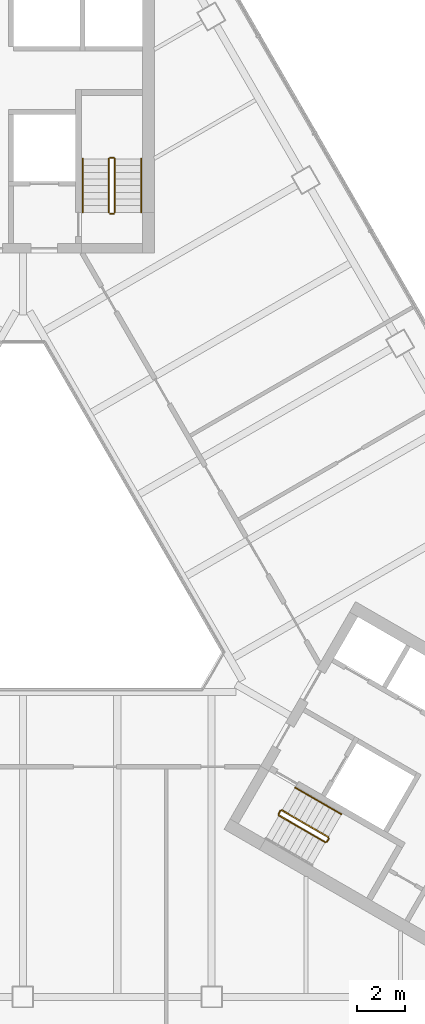
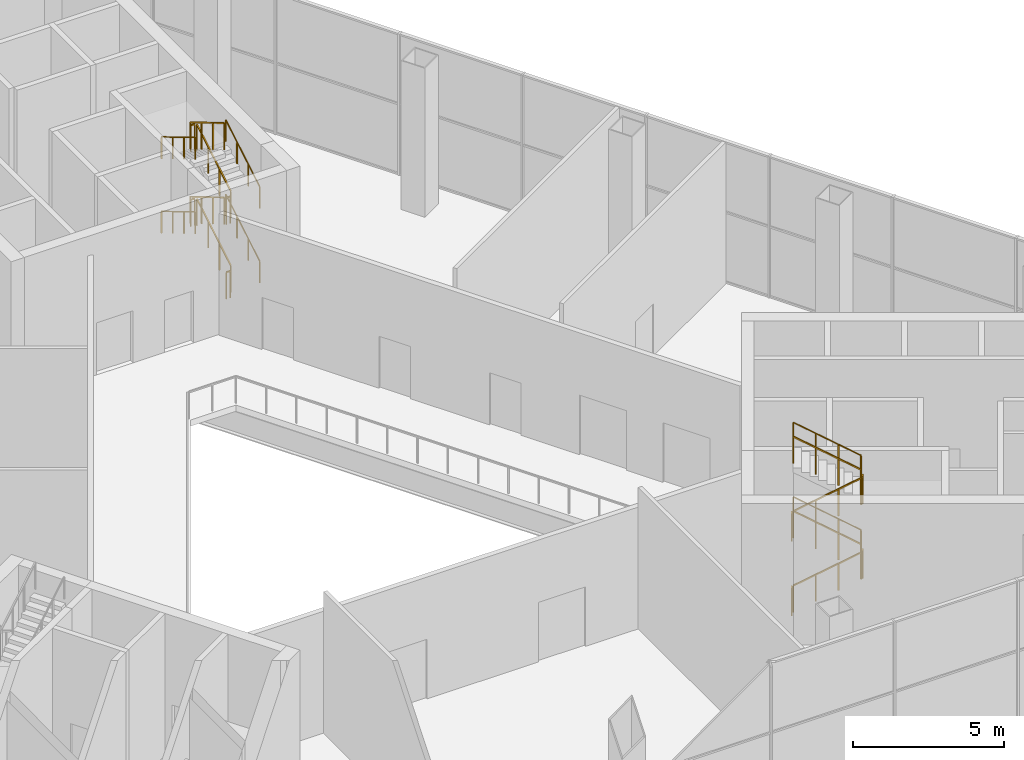
# One storey, part 13 of 14: 22 railings.
"""IFC4 building model written with IfcOpenShell, lengths in metres."""

from ifc_helpers import new_model, si_unit, direction, frame, origin, origin_2d, place, context, subcontext, project, spatial, rectangle, circle, extrude, material, type_object, element, save


model = new_model("IFC4")

# Units and contexts
model_context = context("Model", 3, precision=1e-05, world=origin(), true_north=direction((0.0, 1.0)))
body_context = subcontext(model_context, "Body", "Model", "MODEL_VIEW")
ifc_project = project(units=[si_unit("LENGTHUNIT", "METRE"), si_unit("AREAUNIT", "SQUARE_METRE"), si_unit("VOLUMEUNIT", "CUBIC_METRE"), si_unit("PLANEANGLEUNIT", "RADIAN"), si_unit("MASSUNIT", "GRAM", prefix="KILO")], contexts=[model_context])

# Site, building, storey
site_placement = place(None, origin())
site = spatial("IfcSite", under=ifc_project, at=site_placement, CompositionType="ELEMENT")
building_placement = place(site_placement, origin())
building = spatial("IfcBuilding", under=site, at=building_placement, Name="Apuvela Tower Hotel", CompositionType="ELEMENT")
storey_placement = place(building_placement, frame((0.0, 0.0, 131.60009765625)))
storey = spatial("IfcBuildingStorey", under=building, at=storey_placement, Name="L31", CompositionType="ELEMENT", Elevation=131.60009765625)

# Railings
ifc_material_1 = material(Name="Steel S275 balustrade", Category="steel")
railing_type_1 = type_object("IfcRailingType", Name="COR-GUARD-1100", PredefinedType="GUARDRAIL", material=ifc_material_1)
railing_1_placement = place(storey_placement, frame((3.85009765625, 14.60009765625, 0.16650390625)))
element("IfcRailing", 1, at=railing_1_placement, inside=storey, type_object=railing_type_1, Name="L31 ST1 stair guard 1", PredefinedType="GUARDRAIL", context=body_context, shape_type="SweptSolid", body=[
    extrude(rectangle(XDim=0.048095703125, YDim=0.048095703125, at=origin_2d()), frame((0.0, 0.0, 1.076171875), z_axis=(0.0, 0.859264461869, 0.511531606619), x_axis=(-1.0, 0.0, 0.0)), (0.0, 0.0, 1.0), 2.60693359375),
    extrude(rectangle(XDim=0.0419921875, YDim=0.0419921875, at=origin_2d()), origin(), (0.0, 0.0, 1.0), 1.052001953125),
    extrude(rectangle(XDim=0.0419921875, YDim=0.0419921875, at=origin_2d()), frame((0.0, 0.74658203125, 0.444580078125)), (0.0, 0.0, 1.0), 1.052001953125),
    extrude(rectangle(XDim=0.0419921875, YDim=0.0419921875, at=origin_2d()), frame((0.0, 1.493408203125, 0.888916015625)), (0.0, 0.0, 1.0), 1.052001953125),
    extrude(rectangle(XDim=0.0419921875, YDim=0.0419921875, at=origin_2d()), frame((0.0, 2.239990234375, 1.33349609375)), (0.0, 0.0, 1.0), 1.052001953125),
])
railing_2_placement = place(storey_placement, frame((3.800048828125, 16.889892578125, 1.5)))
element("IfcRailing", 2, at=railing_2_placement, inside=storey, type_object=railing_type_1, Name="L31 ST1 stair guard 2", PredefinedType="GUARDRAIL", context=body_context, shape_type="SweptSolid", body=[
    extrude(rectangle(XDim=0.048095703125, YDim=0.048095703125, at=origin_2d()), frame((0.0, 0.0, 1.076171875), z_axis=(-1.0, 0.0, 0.0), x_axis=(0.0, -1.0, 0.0)), (0.0, 0.0, 1.0), 0.150146484375),
    extrude(rectangle(XDim=0.0419921875, YDim=0.0419921875, at=origin_2d()), origin(), (0.0, 0.0, 1.0), 1.052001953125),
    extrude(rectangle(XDim=0.0419921875, YDim=0.0419921875, at=origin_2d()), frame((-0.150146484375, 0.0, 0.0)), (0.0, 0.0, 1.0), 1.052001953125),
])
railing_3_placement = place(storey_placement, frame((3.60009765625, 16.840087890625, 1.66650390625)))
element("IfcRailing", 3, at=railing_3_placement, inside=storey, type_object=railing_type_1, Name="L31 ST1 stair guard 3", PredefinedType="GUARDRAIL", context=body_context, shape_type="SweptSolid", body=[
    extrude(rectangle(XDim=0.048095703125, YDim=0.048095703125, at=origin_2d()), frame((0.0, 0.0, 1.076171875), z_axis=(0.0, -0.859264461869, 0.511531606619), x_axis=(1.0, 0.0, 0.0)), (0.0, 0.0, 1.0), 2.60693359375),
    extrude(rectangle(XDim=0.0419921875, YDim=0.0419921875, at=origin_2d()), origin(), (0.0, 0.0, 1.0), 1.052001953125),
    extrude(rectangle(XDim=0.0419921875, YDim=0.0419921875, at=origin_2d()), frame((0.0, -0.74658203125, 0.444580078125)), (0.0, 0.0, 1.0), 1.052001953125),
    extrude(rectangle(XDim=0.0419921875, YDim=0.0419921875, at=origin_2d()), frame((0.0, -1.493408203125, 0.888916015625)), (0.0, 0.0, 1.0), 1.052001953125),
    extrude(rectangle(XDim=0.0419921875, YDim=0.0419921875, at=origin_2d()), frame((0.0, -2.239990234375, 1.33349609375)), (0.0, 0.0, 1.0), 1.052001953125),
])
railing_4_placement = place(storey_placement, frame((3.800048828125, 14.550048828125, 3.0)))
element("IfcRailing", 4, at=railing_4_placement, inside=storey, type_object=railing_type_1, Name="L31 ST1 stair guard 4", PredefinedType="GUARDRAIL", context=body_context, shape_type="SweptSolid", body=[
    extrude(rectangle(XDim=0.048095703125, YDim=0.048095703125, at=origin_2d()), frame((0.0, 0.0, 1.076171875), z_axis=(-1.0, 0.0, 0.0), x_axis=(0.0, -1.0, 0.0)), (0.0, 0.0, 1.0), 0.150146484375),
    extrude(rectangle(XDim=0.0419921875, YDim=0.0419921875, at=origin_2d()), origin(), (0.0, 0.0, 1.0), 1.052001953125),
    extrude(rectangle(XDim=0.0419921875, YDim=0.0419921875, at=origin_2d()), frame((-0.150146484375, 0.0, 0.0)), (0.0, 0.0, 1.0), 1.052001953125),
])
railing_5_placement = place(storey_placement, frame((3.85009765625, 14.60009765625, 3.16650390625)))
element("IfcRailing", 5, at=railing_5_placement, inside=storey, type_object=railing_type_1, Name="L31 ST1 stair guard 5", PredefinedType="GUARDRAIL", context=body_context, shape_type="SweptSolid", body=[
    extrude(rectangle(XDim=0.048095703125, YDim=0.048095703125, at=origin_2d()), frame((0.0, 0.0, 1.076171875), z_axis=(0.0, 0.859264461869, 0.511531606619), x_axis=(-1.0, 0.0, 0.0)), (0.0, 0.0, 1.0), 2.60693359375),
    extrude(rectangle(XDim=0.0419921875, YDim=0.0419921875, at=origin_2d()), origin(), (0.0, 0.0, 1.0), 1.052001953125),
    extrude(rectangle(XDim=0.0419921875, YDim=0.0419921875, at=origin_2d()), frame((0.0, 0.74658203125, 0.444580078125)), (0.0, 0.0, 1.0), 1.052001953125),
    extrude(rectangle(XDim=0.0419921875, YDim=0.0419921875, at=origin_2d()), frame((0.0, 1.493408203125, 0.888916015625)), (0.0, 0.0, 1.0), 1.052001953125),
    extrude(rectangle(XDim=0.0419921875, YDim=0.0419921875, at=origin_2d()), frame((0.0, 2.239990234375, 1.33349609375)), (0.0, 0.0, 1.0), 1.052001953125),
])
railing_6_placement = place(storey_placement, frame((3.800048828125, 16.889892578125, 4.5)))
element("IfcRailing", 6, at=railing_6_placement, inside=storey, type_object=railing_type_1, Name="L31 ST1 stair guard 6", PredefinedType="GUARDRAIL", context=body_context, shape_type="SweptSolid", body=[
    extrude(rectangle(XDim=0.048095703125, YDim=0.048095703125, at=origin_2d()), frame((0.0, 0.0, 1.076171875), z_axis=(-1.0, 0.0, 0.0), x_axis=(0.0, -1.0, 0.0)), (0.0, 0.0, 1.0), 0.150146484375),
    extrude(rectangle(XDim=0.0419921875, YDim=0.0419921875, at=origin_2d()), origin(), (0.0, 0.0, 1.0), 1.052001953125),
    extrude(rectangle(XDim=0.0419921875, YDim=0.0419921875, at=origin_2d()), frame((-0.150146484375, 0.0, 0.0)), (0.0, 0.0, 1.0), 1.052001953125),
])
railing_7_placement = place(storey_placement, frame((3.60009765625, 16.840087890625, 4.66650390625)))
element("IfcRailing", 7, at=railing_7_placement, inside=storey, type_object=railing_type_1, Name="L31 ST1 stair guard 7", PredefinedType="GUARDRAIL", context=body_context, shape_type="SweptSolid", body=[
    extrude(rectangle(XDim=0.048095703125, YDim=0.048095703125, at=origin_2d()), frame((0.0, 0.0, 1.076171875), z_axis=(0.0, -0.859264461869, 0.511531606619), x_axis=(1.0, 0.0, 0.0)), (0.0, 0.0, 1.0), 2.60693359375),
    extrude(rectangle(XDim=0.0419921875, YDim=0.0419921875, at=origin_2d()), origin(), (0.0, 0.0, 1.0), 1.052001953125),
    extrude(rectangle(XDim=0.0419921875, YDim=0.0419921875, at=origin_2d()), frame((0.0, -0.74658203125, 0.444580078125)), (0.0, 0.0, 1.0), 1.052001953125),
    extrude(rectangle(XDim=0.0419921875, YDim=0.0419921875, at=origin_2d()), frame((0.0, -1.493408203125, 0.888916015625)), (0.0, 0.0, 1.0), 1.052001953125),
    extrude(rectangle(XDim=0.0419921875, YDim=0.0419921875, at=origin_2d()), frame((0.0, -2.239990234375, 1.33349609375)), (0.0, 0.0, 1.0), 1.052001953125),
])
railing_8_placement = place(storey_placement, frame((3.800048828125, 14.550048828125, 0.0)))
element("IfcRailing", 8, at=railing_8_placement, inside=storey, type_object=railing_type_1, Name="L31 ST1 stair guard 8", PredefinedType="GUARDRAIL", context=body_context, shape_type="SweptSolid", body=[
    extrude(rectangle(XDim=0.048095703125, YDim=0.048095703125, at=origin_2d()), frame((0.0, 0.0, 1.076171875), z_axis=(-1.0, 0.0, 0.0), x_axis=(0.0, -1.0, 0.0)), (0.0, 0.0, 1.0), 0.150146484375),
    extrude(rectangle(XDim=0.0419921875, YDim=0.0419921875, at=origin_2d()), origin(), (0.0, 0.0, 1.0), 1.052001953125),
    extrude(rectangle(XDim=0.0419921875, YDim=0.0419921875, at=origin_2d()), frame((-0.150146484375, 0.0, 0.0)), (0.0, 0.0, 1.0), 1.052001953125),
])
railing_9_placement = place(storey_placement, frame((10.718994140625, -10.63427734375, 0.16650390625)))
element("IfcRailing", 9, at=railing_9_placement, inside=storey, type_object=railing_type_1, Name="L31 ST3 stair guard 1", PredefinedType="GUARDRAIL", context=body_context, shape_type="SweptSolid", body=[
    extrude(rectangle(XDim=0.048095703125, YDim=0.048095703125, at=origin_2d()), frame((0.0, 0.0, 1.076171875), z_axis=(0.744168888134, -0.429587552211, 0.51153416398), x_axis=(0.49994888933, 0.866054910533, 0.0)), (0.0, 0.0, 1.0), 2.60693359375),
    extrude(rectangle(XDim=0.0419921875, YDim=0.0419921875, at=origin_2d()), origin(), (0.0, 0.0, 1.0), 1.052001953125),
    extrude(rectangle(XDim=0.0419921875, YDim=0.0419921875, at=origin_2d()), frame((0.646728515625, -0.373291015625, 0.444580078125)), (0.0, 0.0, 1.0), 1.052001953125),
    extrude(rectangle(XDim=0.0419921875, YDim=0.0419921875, at=origin_2d()), frame((1.293212890625, -0.74658203125, 0.888916015625)), (0.0, 0.0, 1.0), 1.052001953125),
    extrude(rectangle(XDim=0.0419921875, YDim=0.0419921875, at=origin_2d()), frame((1.93994140625, -1.119873046875, 1.33349609375)), (0.0, 0.0, 1.0), 1.052001953125),
])
railing_10_placement = place(storey_placement, frame((12.72705078125, -11.73583984375, 1.5)))
element("IfcRailing", 10, at=railing_10_placement, inside=storey, type_object=railing_type_1, Name="L31 ST3 stair guard 2", PredefinedType="GUARDRAIL", context=body_context, shape_type="SweptSolid", body=[
    extrude(rectangle(XDim=0.048095703125, YDim=0.048095703125, at=origin_2d()), frame((0.0, 0.0, 1.076171875), z_axis=(0.501036270542, 0.865426285481, 0.0), x_axis=(-0.865426285481, 0.501036270542, 0.0)), (0.0, 0.0, 1.0), 0.150146484375),
    extrude(rectangle(XDim=0.0419921875, YDim=0.0419921875, at=origin_2d()), origin(), (0.0, 0.0, 1.0), 1.052001953125),
    extrude(rectangle(XDim=0.0419921875, YDim=0.0419921875, at=origin_2d()), frame((0.0751953125, 0.1298828125, 0.0)), (0.0, 0.0, 1.0), 1.052001953125),
])
railing_11_placement = place(storey_placement, frame((12.783935546875, -11.53759765625, 1.66650390625)))
element("IfcRailing", 11, at=railing_11_placement, inside=storey, type_object=railing_type_1, Name="L31 ST3 stair guard 3", PredefinedType="GUARDRAIL", context=body_context, shape_type="SweptSolid", body=[
    extrude(rectangle(XDim=0.048095703125, YDim=0.048095703125, at=origin_2d()), frame((0.0, 0.0, 1.076171875), z_axis=(-0.744168888134, 0.429587552211, 0.51153416398), x_axis=(-0.49994888933, -0.866054910533, 0.0)), (0.0, 0.0, 1.0), 2.60693359375),
    extrude(rectangle(XDim=0.0419921875, YDim=0.0419921875, at=origin_2d()), origin(), (0.0, 0.0, 1.0), 1.052001953125),
    extrude(rectangle(XDim=0.0419921875, YDim=0.0419921875, at=origin_2d()), frame((-0.646728515625, 0.373291015625, 0.444580078125)), (0.0, 0.0, 1.0), 1.052001953125),
    extrude(rectangle(XDim=0.0419921875, YDim=0.0419921875, at=origin_2d()), frame((-1.293212890625, 0.74658203125, 0.888916015625)), (0.0, 0.0, 1.0), 1.052001953125),
    extrude(rectangle(XDim=0.0419921875, YDim=0.0419921875, at=origin_2d()), frame((-1.93994140625, 1.119873046875, 1.33349609375)), (0.0, 0.0, 1.0), 1.052001953125),
])
railing_12_placement = place(storey_placement, frame((10.70068359375, -10.56591796875, 3.0)))
element("IfcRailing", 12, at=railing_12_placement, inside=storey, type_object=railing_type_1, Name="L31 ST3 stair guard 4", PredefinedType="GUARDRAIL", context=body_context, shape_type="SweptSolid", body=[
    extrude(rectangle(XDim=0.048095703125, YDim=0.048095703125, at=origin_2d()), frame((0.0, 0.0, 1.076171875), z_axis=(0.499816412211, 0.866131372301, 0.0), x_axis=(-0.866131372301, 0.499816412211, 0.0)), (0.0, 0.0, 1.0), 0.14990234375),
    extrude(rectangle(XDim=0.0419921875, YDim=0.0419921875, at=origin_2d()), origin(), (0.0, 0.0, 1.0), 1.052001953125),
    extrude(rectangle(XDim=0.0419921875, YDim=0.0419921875, at=origin_2d()), frame((0.074951171875, 0.1298828125, 0.0)), (0.0, 0.0, 1.0), 1.052001953125),
])
railing_13_placement = place(storey_placement, frame((10.718994140625, -10.63427734375, 3.16650390625)))
element("IfcRailing", 13, at=railing_13_placement, inside=storey, type_object=railing_type_1, Name="L31 ST3 stair guard 5", PredefinedType="GUARDRAIL", context=body_context, shape_type="SweptSolid", body=[
    extrude(rectangle(XDim=0.048095703125, YDim=0.048095703125, at=origin_2d()), frame((0.0, 0.0, 1.076171875), z_axis=(0.744168888134, -0.429587552211, 0.51153416398), x_axis=(0.49994888933, 0.866054910533, 0.0)), (0.0, 0.0, 1.0), 2.60693359375),
    extrude(rectangle(XDim=0.0419921875, YDim=0.0419921875, at=origin_2d()), origin(), (0.0, 0.0, 1.0), 1.052001953125),
    extrude(rectangle(XDim=0.0419921875, YDim=0.0419921875, at=origin_2d()), frame((0.646728515625, -0.373291015625, 0.444580078125)), (0.0, 0.0, 1.0), 1.052001953125),
    extrude(rectangle(XDim=0.0419921875, YDim=0.0419921875, at=origin_2d()), frame((1.293212890625, -0.74658203125, 0.888916015625)), (0.0, 0.0, 1.0), 1.052001953125),
    extrude(rectangle(XDim=0.0419921875, YDim=0.0419921875, at=origin_2d()), frame((1.93994140625, -1.119873046875, 1.33349609375)), (0.0, 0.0, 1.0), 1.052001953125),
])
railing_14_placement = place(storey_placement, frame((12.72705078125, -11.73583984375, 4.5)))
element("IfcRailing", 14, at=railing_14_placement, inside=storey, type_object=railing_type_1, Name="L31 ST3 stair guard 6", PredefinedType="GUARDRAIL", context=body_context, shape_type="SweptSolid", body=[
    extrude(rectangle(XDim=0.048095703125, YDim=0.048095703125, at=origin_2d()), frame((0.0, 0.0, 1.076171875), z_axis=(0.501036270542, 0.865426285481, 0.0), x_axis=(-0.865426285481, 0.501036270542, 0.0)), (0.0, 0.0, 1.0), 0.150146484375),
    extrude(rectangle(XDim=0.0419921875, YDim=0.0419921875, at=origin_2d()), origin(), (0.0, 0.0, 1.0), 1.052001953125),
    extrude(rectangle(XDim=0.0419921875, YDim=0.0419921875, at=origin_2d()), frame((0.0751953125, 0.1298828125, 0.0)), (0.0, 0.0, 1.0), 1.052001953125),
])
railing_15_placement = place(storey_placement, frame((12.783935546875, -11.53759765625, 4.66650390625)))
element("IfcRailing", 15, at=railing_15_placement, inside=storey, type_object=railing_type_1, Name="L31 ST3 stair guard 7", PredefinedType="GUARDRAIL", context=body_context, shape_type="SweptSolid", body=[
    extrude(rectangle(XDim=0.048095703125, YDim=0.048095703125, at=origin_2d()), frame((0.0, 0.0, 1.076171875), z_axis=(-0.744168888134, 0.429587552211, 0.51153416398), x_axis=(-0.49994888933, -0.866054910533, 0.0)), (0.0, 0.0, 1.0), 2.60693359375),
    extrude(rectangle(XDim=0.0419921875, YDim=0.0419921875, at=origin_2d()), origin(), (0.0, 0.0, 1.0), 1.052001953125),
    extrude(rectangle(XDim=0.0419921875, YDim=0.0419921875, at=origin_2d()), frame((-0.646728515625, 0.373291015625, 0.444580078125)), (0.0, 0.0, 1.0), 1.052001953125),
    extrude(rectangle(XDim=0.0419921875, YDim=0.0419921875, at=origin_2d()), frame((-1.293212890625, 0.74658203125, 0.888916015625)), (0.0, 0.0, 1.0), 1.052001953125),
    extrude(rectangle(XDim=0.0419921875, YDim=0.0419921875, at=origin_2d()), frame((-1.93994140625, 1.119873046875, 1.33349609375)), (0.0, 0.0, 1.0), 1.052001953125),
])
railing_16_placement = place(storey_placement, frame((10.70068359375, -10.56591796875, 0.0)))
element("IfcRailing", 16, at=railing_16_placement, inside=storey, type_object=railing_type_1, Name="L31 ST3 stair guard 8", PredefinedType="GUARDRAIL", context=body_context, shape_type="SweptSolid", body=[
    extrude(rectangle(XDim=0.048095703125, YDim=0.048095703125, at=origin_2d()), frame((0.0, 0.0, 1.076171875), z_axis=(0.499816412211, 0.866131372301, 0.0), x_axis=(-0.866131372301, 0.499816412211, 0.0)), (0.0, 0.0, 1.0), 0.14990234375),
    extrude(rectangle(XDim=0.0419921875, YDim=0.0419921875, at=origin_2d()), origin(), (0.0, 0.0, 1.0), 1.052001953125),
    extrude(rectangle(XDim=0.0419921875, YDim=0.0419921875, at=origin_2d()), frame((0.074951171875, 0.1298828125, 0.0)), (0.0, 0.0, 1.0), 1.052001953125),
])
ifc_material_2 = material(Name="Stainless steel 316 handrail", Category="steel")
railing_type_2 = type_object("IfcRailingType", Name="COR-HANDRAIL-900", PredefinedType="HANDRAIL", material=ifc_material_2)
railing_17_placement = place(storey_placement, frame((4.949951171875, 14.60009765625, 0.16650390625)))
element("IfcRailing", 17, at=railing_17_placement, inside=storey, type_object=railing_type_2, Name="L31 ST1 stair handrail 1", PredefinedType="HANDRAIL", context=body_context, shape_type="SweptSolid", body=[
    extrude(circle(Radius=0.02392578125, at=origin_2d()), frame((0.0, 0.0, 0.8759765625), z_axis=(0.0, 0.859264461869, 0.511531606619), x_axis=(-1.0, 0.0, 0.0)), (0.0, 0.0, 1.0), 2.60693359375),
    extrude(rectangle(XDim=0.0419921875, YDim=0.0419921875, at=origin_2d()), origin(), (0.0, 0.0, 1.0), 0.851806640625),
    extrude(rectangle(XDim=0.0419921875, YDim=0.0419921875, at=origin_2d()), frame((0.0, 0.74658203125, 0.444580078125)), (0.0, 0.0, 1.0), 0.851806640625),
    extrude(rectangle(XDim=0.0419921875, YDim=0.0419921875, at=origin_2d()), frame((0.0, 1.493408203125, 0.888916015625)), (0.0, 0.0, 1.0), 0.851806640625),
    extrude(rectangle(XDim=0.0419921875, YDim=0.0419921875, at=origin_2d()), frame((0.0, 2.239990234375, 1.33349609375)), (0.0, 0.0, 1.0), 0.851806640625),
])
railing_18_placement = place(storey_placement, frame((2.5, 16.840087890625, 1.66650390625)))
element("IfcRailing", 18, at=railing_18_placement, inside=storey, type_object=railing_type_2, Name="L31 ST1 stair handrail 2", PredefinedType="HANDRAIL", context=body_context, shape_type="SweptSolid", body=[
    extrude(circle(Radius=0.02392578125, at=origin_2d()), frame((0.0, 0.0, 0.8759765625), z_axis=(0.0, -0.859264461869, 0.511531606619), x_axis=(1.0, 0.0, 0.0)), (0.0, 0.0, 1.0), 2.60693359375),
    extrude(rectangle(XDim=0.0419921875, YDim=0.0419921875, at=origin_2d()), origin(), (0.0, 0.0, 1.0), 0.851806640625),
    extrude(rectangle(XDim=0.0419921875, YDim=0.0419921875, at=origin_2d()), frame((0.0, -0.74658203125, 0.444580078125)), (0.0, 0.0, 1.0), 0.851806640625),
    extrude(rectangle(XDim=0.0419921875, YDim=0.0419921875, at=origin_2d()), frame((0.0, -1.493408203125, 0.888916015625)), (0.0, 0.0, 1.0), 0.851806640625),
    extrude(rectangle(XDim=0.0419921875, YDim=0.0419921875, at=origin_2d()), frame((0.0, -2.239990234375, 1.33349609375)), (0.0, 0.0, 1.0), 0.851806640625),
])
railing_19_placement = place(storey_placement, frame((4.949951171875, 14.60009765625, 3.16650390625)))
element("IfcRailing", 19, at=railing_19_placement, inside=storey, type_object=railing_type_2, Name="L31 ST1 stair handrail 3", PredefinedType="HANDRAIL", context=body_context, shape_type="SweptSolid", body=[
    extrude(circle(Radius=0.02392578125, at=origin_2d()), frame((0.0, 0.0, 0.8759765625), z_axis=(0.0, 0.859264461869, 0.511531606619), x_axis=(-1.0, 0.0, 0.0)), (0.0, 0.0, 1.0), 2.60693359375),
    extrude(rectangle(XDim=0.0419921875, YDim=0.0419921875, at=origin_2d()), origin(), (0.0, 0.0, 1.0), 0.851806640625),
    extrude(rectangle(XDim=0.0419921875, YDim=0.0419921875, at=origin_2d()), frame((0.0, 0.74658203125, 0.444580078125)), (0.0, 0.0, 1.0), 0.851806640625),
    extrude(rectangle(XDim=0.0419921875, YDim=0.0419921875, at=origin_2d()), frame((0.0, 1.493408203125, 0.888916015625)), (0.0, 0.0, 1.0), 0.851806640625),
    extrude(rectangle(XDim=0.0419921875, YDim=0.0419921875, at=origin_2d()), frame((0.0, 2.239990234375, 1.33349609375)), (0.0, 0.0, 1.0), 0.851806640625),
])
railing_20_placement = place(storey_placement, frame((2.5, 16.840087890625, 4.66650390625)))
element("IfcRailing", 20, at=railing_20_placement, inside=storey, type_object=railing_type_2, Name="L31 ST1 stair handrail 4", PredefinedType="HANDRAIL", context=body_context, shape_type="SweptSolid", body=[
    extrude(circle(Radius=0.02392578125, at=origin_2d()), frame((0.0, 0.0, 0.8759765625), z_axis=(0.0, -0.859264461869, 0.511531606619), x_axis=(1.0, 0.0, 0.0)), (0.0, 0.0, 1.0), 2.60693359375),
    extrude(rectangle(XDim=0.0419921875, YDim=0.0419921875, at=origin_2d()), origin(), (0.0, 0.0, 1.0), 0.851806640625),
    extrude(rectangle(XDim=0.0419921875, YDim=0.0419921875, at=origin_2d()), frame((0.0, -0.74658203125, 0.444580078125)), (0.0, 0.0, 1.0), 0.851806640625),
    extrude(rectangle(XDim=0.0419921875, YDim=0.0419921875, at=origin_2d()), frame((0.0, -1.493408203125, 0.888916015625)), (0.0, 0.0, 1.0), 0.851806640625),
    extrude(rectangle(XDim=0.0419921875, YDim=0.0419921875, at=origin_2d()), frame((0.0, -2.239990234375, 1.33349609375)), (0.0, 0.0, 1.0), 0.851806640625),
])
for number, where, name in (
    (21, (13.333984375, -10.5849609375, 1.66650390625), "L31 ST3 stair handrail 2"),
    (22, (13.333984375, -10.5849609375, 4.66650390625), "L31 ST3 stair handrail 4"),
):
    element("IfcRailing", number, at=place(storey_placement, frame(where)), inside=storey, type_object=railing_type_2, Name=name, PredefinedType="HANDRAIL", context=body_context, shape_type="SweptSolid", body=[
        extrude(circle(Radius=0.02392578125, at=origin_2d()), frame((0.0, 0.0, 0.8759765625), z_axis=(-0.744168888134, 0.429587552211, 0.51153416398), x_axis=(-0.49994888933, -0.866054910533, 0.0)), (0.0, 0.0, 1.0), 2.60693359375),
        extrude(rectangle(XDim=0.0419921875, YDim=0.0419921875, at=origin_2d()), origin(), (0.0, 0.0, 1.0), 0.851806640625),
        extrude(rectangle(XDim=0.0419921875, YDim=0.0419921875, at=origin_2d()), frame((-0.646728515625, 0.373291015625, 0.444580078125)), (0.0, 0.0, 1.0), 0.851806640625),
        extrude(rectangle(XDim=0.0419921875, YDim=0.0419921875, at=origin_2d()), frame((-1.293212890625, 0.74658203125, 0.888916015625)), (0.0, 0.0, 1.0), 0.851806640625),
        extrude(rectangle(XDim=0.0419921875, YDim=0.0419921875, at=origin_2d()), frame((-1.93994140625, 1.119873046875, 1.33349609375)), (0.0, 0.0, 1.0), 0.851806640625),
    ])

save(model, "model.ifc")
